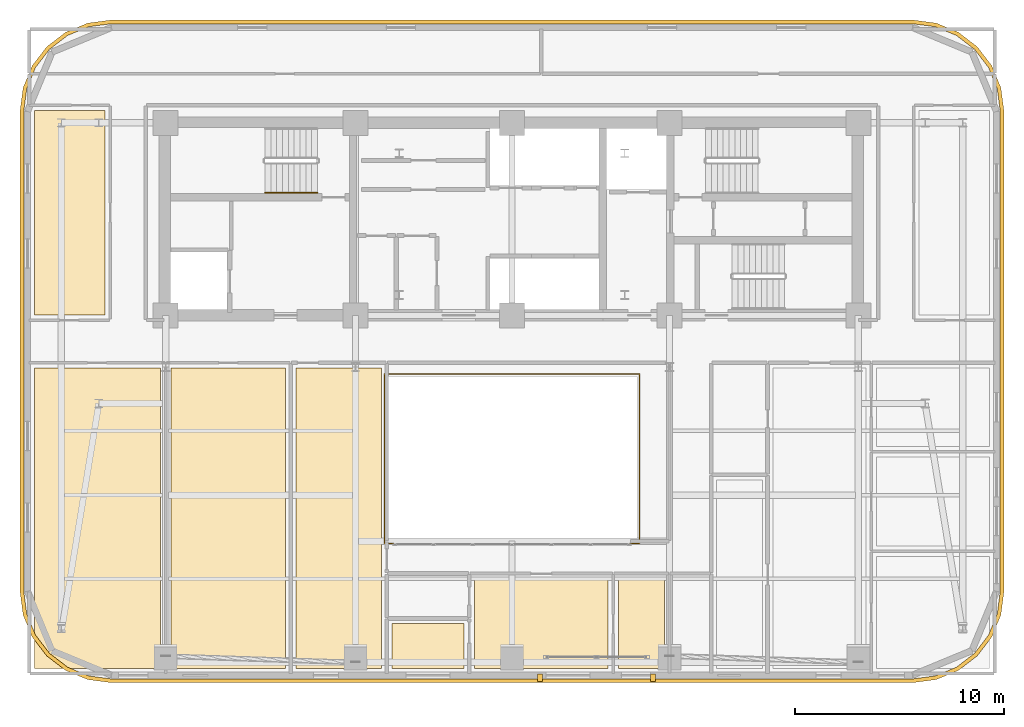
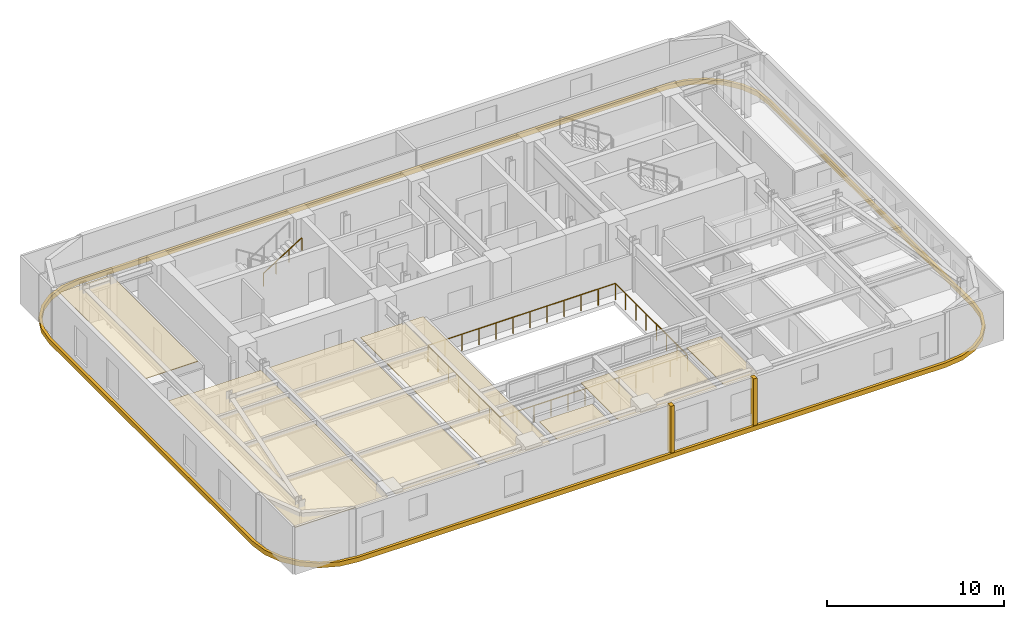
# One storey, part 11 of 13: 10 coverings, 2 railings.
"""IFC4 building model written with IfcOpenShell, lengths in metres."""

from ifc_helpers import new_model, si_unit, direction, frame, origin, origin_2d, place, context, subcontext, project, spatial, polyline, rectangle, outline, extrude, material, layer, layer_set, type_object, element, save


model = new_model("IFC4")

# Units and contexts
model_context = context("Model", 3, precision=1e-05, world=origin(), true_north=direction((0.0, 1.0)))
body_context = subcontext(model_context, "Body", "Model", "MODEL_VIEW")
ifc_project = project(units=[si_unit("LENGTHUNIT", "METRE"), si_unit("AREAUNIT", "SQUARE_METRE"), si_unit("VOLUMEUNIT", "CUBIC_METRE"), si_unit("PLANEANGLEUNIT", "RADIAN"), si_unit("MASSUNIT", "GRAM", prefix="KILO")], contexts=[model_context])

# Site, building, storey
site_placement = place(None, origin())
site = spatial("IfcSite", under=ifc_project, at=site_placement, CompositionType="ELEMENT")
building_placement = place(site_placement, origin())
building = spatial("IfcBuilding", under=site, at=building_placement, Name="Zarnavel Station Tower", CompositionType="ELEMENT")
storey_placement = place(building_placement, frame((0.0, 0.0, 162.550048828125)))
storey = spatial("IfcBuildingStorey", under=building, at=storey_placement, Name="L44", CompositionType="ELEMENT", Elevation=162.550048828125)

# Coverings
ifc_material_1 = material(Name="Perforated Gypsum and Mineral-Wool Acoustic Ceiling", Category="concrete")
ifc_layer = layer(ifc_material_1, 0.0400390625)
ifc_layer_set = layer_set([ifc_layer], Name="COV_CEIL_ACOUSTIC")
covering_type_1 = type_object("IfcCoveringType", Name="COV_CEIL_ACOUSTIC", PredefinedType="CEILING", material=ifc_layer_set)
covering_1_placement = place(storey_placement, frame((0.0, 0.0, 2.969970703125)))
element("IfcCovering", 1, at=covering_1_placement, inside=storey, type_object=covering_type_1, Name="L44 FNW Acoustic Ceiling", PredefinedType="CEILING", context=body_context, shape_type="SweptSolid", body=[
    extrude(outline(polyline([(5.909912109375, 27.85009765625), (9.300048828125, 27.85009765625), (9.300048828125, 37.64990234375), (5.909912109375, 37.64990234375), (5.909912109375, 27.85009765625)])), origin(), (0.0, 0.0, 1.0), 0.0400390625),
])
covering_2_placement = place(storey_placement, frame((0.0, 0.0, 2.969970703125)))
element("IfcCovering", 2, at=covering_2_placement, inside=storey, type_object=covering_type_1, Name="L44 L43GAL Acoustic Ceiling", PredefinedType="CEILING", context=body_context, shape_type="SweptSolid", body=[
    extrude(outline(polyline([(5.909912109375, 10.909912109375), (11.949951171875, 10.909912109375), (11.949951171875, 25.300048828125), (5.909912109375, 25.300048828125), (5.909912109375, 10.909912109375)])), origin(), (0.0, 0.0, 1.0), 0.0400390625),
])
covering_3_placement = place(storey_placement, frame((0.0, 0.0, 2.969970703125)))
element("IfcCovering", 3, at=covering_3_placement, inside=storey, type_object=covering_type_1, Name="L44 L43FOY Acoustic Ceiling", PredefinedType="CEILING", context=body_context, shape_type="SweptSolid", body=[
    extrude(outline(polyline([(12.449951171875, 10.909912109375), (17.949951171875, 10.909912109375), (17.949951171875, 25.300048828125), (12.449951171875, 25.300048828125), (12.449951171875, 10.909912109375)])), origin(), (0.0, 0.0, 1.0), 0.0400390625),
])
covering_4_placement = place(storey_placement, frame((0.0, 0.0, 2.969970703125)))
element("IfcCovering", 4, at=covering_4_placement, inside=storey, type_object=covering_type_1, Name="L44 L43KIT Acoustic Ceiling", PredefinedType="CEILING", context=body_context, shape_type="SweptSolid", body=[
    extrude(outline(polyline([(18.449951171875, 10.909912109375), (22.550048828125, 10.909912109375), (22.550048828125, 25.300048828125), (18.449951171875, 25.300048828125), (18.449951171875, 10.909912109375)])), origin(), (0.0, 0.0, 1.0), 0.0400390625),
])
covering_5_placement = place(storey_placement, frame((0.0, 0.0, 2.969970703125)))
element("IfcCovering", 5, at=covering_5_placement, inside=storey, type_object=covering_type_1, Name="L44 US1LV Acoustic Ceiling", PredefinedType="CEILING", context=body_context, shape_type="SweptSolid", body=[
    extrude(outline(polyline([(27.0, 10.909912109375), (33.39990234375, 10.909912109375), (33.39990234375, 15.199951171875), (27.0, 15.199951171875), (27.0, 10.909912109375)])), origin(), (0.0, 0.0, 1.0), 0.0400390625),
])
covering_6_placement = place(storey_placement, frame((0.0, 0.0, 2.969970703125)))
element("IfcCovering", 6, at=covering_6_placement, inside=storey, type_object=covering_type_1, Name="L44 US1KT Acoustic Ceiling", PredefinedType="CEILING", context=body_context, shape_type="SweptSolid", body=[
    extrude(outline(polyline([(23.050048828125, 10.909912109375), (26.5, 10.909912109375), (26.5, 13.050048828125), (23.050048828125, 13.050048828125), (23.050048828125, 10.909912109375)])), origin(), (0.0, 0.0, 1.0), 0.0400390625),
])
covering_7_placement = place(storey_placement, frame((0.0, 0.0, 2.969970703125)))
element("IfcCovering", 7, at=covering_7_placement, inside=storey, type_object=covering_type_1, Name="L44 US1B1 Acoustic Ceiling", PredefinedType="CEILING", context=body_context, shape_type="SweptSolid", body=[
    extrude(outline(polyline([(33.89990234375, 10.909912109375), (36.10009765625, 10.909912109375), (36.10009765625, 15.199951171875), (33.89990234375, 15.199951171875), (33.89990234375, 10.909912109375)])), origin(), (0.0, 0.0, 1.0), 0.0400390625),
])
ifc_material_2 = material(Name="Precast concrete C45/55 (Pale Travertine Slab Band)", Category="masonry")
covering_type_2 = type_object("IfcCoveringType", Name="COV_TRAVERTINE_BAND", PredefinedType="CLADDING", material=ifc_material_2)
covering_8_placement = place(storey_placement, frame((0.0, 0.0, -0.260009765625)))
element("IfcCovering", 8, at=covering_8_placement, inside=storey, type_object=covering_type_2, Name="L44 Pale Travertine Slab-Edge Band", PredefinedType="CLADDING", context=body_context, shape_type="SweptSolid", body=[
    extrude(outline(polyline([(48.0, 10.219970703125), (49.133544921875, 10.369140625), (50.18994140625, 10.806884765625), (51.09716796875, 11.5029296875), (51.793212890625, 12.409912109375), (52.230712890625, 13.46630859375), (52.3798828125, 14.60009765625), (52.3798828125, 37.60009765625), (52.230712890625, 38.733642578125), (51.793212890625, 39.7900390625), (51.09716796875, 40.697021484375), (50.18994140625, 41.393310546875), (49.133544921875, 41.830810546875), (48.0, 41.97998046875), (9.60009765625, 41.97998046875), (8.46630859375, 41.830810546875), (7.409912109375, 41.393310546875), (6.5029296875, 40.697021484375), (5.806884765625, 39.7900390625), (5.369140625, 38.733642578125), (5.219970703125, 37.60009765625), (5.219970703125, 14.60009765625), (5.369140625, 13.46630859375), (5.806884765625, 12.409912109375), (6.5029296875, 11.5029296875), (7.409912109375, 10.806884765625), (8.46630859375, 10.369140625), (9.60009765625, 10.219970703125), (48.0, 10.219970703125)]), holes=[polyline([(48.0, 10.39990234375), (49.0869140625, 10.543212890625), (50.10009765625, 10.962646484375), (50.9697265625, 11.630126953125), (51.63720703125, 12.5), (52.056884765625, 13.512939453125), (52.199951171875, 14.60009765625), (52.199951171875, 37.60009765625), (52.056884765625, 38.68701171875), (51.63720703125, 39.699951171875), (50.9697265625, 40.56982421875), (50.10009765625, 41.2373046875), (49.0869140625, 41.656982421875), (48.0, 41.800048828125), (9.60009765625, 41.800048828125), (8.512939453125, 41.656982421875), (7.5, 41.2373046875), (6.630126953125, 40.56982421875), (5.962646484375, 39.699951171875), (5.543212890625, 38.68701171875), (5.39990234375, 37.60009765625), (5.39990234375, 14.60009765625), (5.543212890625, 13.512939453125), (5.962646484375, 12.5), (6.630126953125, 11.630126953125), (7.5, 10.962646484375), (8.512939453125, 10.543212890625), (9.60009765625, 10.39990234375), (48.0, 10.39990234375)])]), origin(), (0.0, 0.0, 1.0), 0.320068359375),
])
for number, where, z_axis, x_axis, name in (
    (9, (30.14990234375, 10.449951171875, 0.0), (0.0, 0.0, 1.0), (1.0, 0.0, 0.0), "L44 Travertine Portal Loggia Vertical Jog West"),
    (10, (35.550048828125, 10.449951171875, 0.0), (0.0, 0.0, 1.0), (1.0, 0.0, 0.0), "L44 Travertine Portal Loggia Vertical Jog East"),
):
    element("IfcCovering", number, at=place(storey_placement, frame(where, z_axis=z_axis, x_axis=x_axis)), inside=storey, type_object=covering_type_2, Name=name, PredefinedType="CLADDING", context=body_context, shape_type="SweptSolid", body=[
        extrude(rectangle(XDim=0.239990234375, YDim=0.360107421875, at=origin_2d()), origin(), (0.0, 0.0, 1.0), 3.2900390625),
    ])

# Railings
ifc_material_3 = material(Name="Painted Steel S355J2 Balustrade", Category="steel")
railing_type_1 = type_object("IfcRailingType", Name="GR_INT_1150", PredefinedType="GUARDRAIL", material=ifc_material_3)
railing_1_placement = place(storey_placement, frame((22.679931640625, 16.8798828125, 0.0)))
element("IfcRailing", 11, at=railing_1_placement, inside=storey, type_object=railing_type_1, Name="L44 Atrium Void Guardrail", PredefinedType="GUARDRAIL", context=body_context, shape_type="SweptSolid", body=[
    extrude(rectangle(XDim=0.048095703125, YDim=0.048095703125, at=origin_2d()), frame((0.001953125, 0.0, 1.1259765625), z_axis=(1.0, 0.0, 0.0), x_axis=(0.0, 1.0, 0.0)), (0.0, 0.0, 1.0), 12.236083984375),
    extrude(rectangle(XDim=0.048095703125, YDim=0.048095703125, at=origin_2d()), frame((12.239990234375, 0.001953125, 1.1259765625), z_axis=(0.0, 1.0, 0.0), x_axis=(-1.0, 0.0, 0.0)), (0.0, 0.0, 1.0), 8.13623046875),
    extrude(rectangle(XDim=0.048095703125, YDim=0.048095703125, at=origin_2d()), frame((12.238037109375, 8.14013671875, 1.1259765625), z_axis=(-1.0, 0.0, 0.0), x_axis=(0.0, -1.0, 0.0)), (0.0, 0.0, 1.0), 12.236083984375),
    extrude(rectangle(XDim=0.048095703125, YDim=0.048095703125, at=origin_2d()), frame((0.0, 8.13818359375, 1.1259765625), z_axis=(0.0, -1.0, 0.0), x_axis=(1.0, 0.0, 0.0)), (0.0, 0.0, 1.0), 8.13623046875),
    extrude(rectangle(XDim=0.0419921875, YDim=0.0419921875, at=origin_2d()), origin(), (0.0, 0.0, 1.0), 1.101806640625),
    extrude(rectangle(XDim=0.0419921875, YDim=0.0419921875, at=origin_2d()), frame((1.11279296875, 0.0, 0.0)), (0.0, 0.0, 1.0), 1.101806640625),
    extrude(rectangle(XDim=0.0419921875, YDim=0.0419921875, at=origin_2d()), frame((2.225341796875, 0.0, 0.0)), (0.0, 0.0, 1.0), 1.101806640625),
    extrude(rectangle(XDim=0.0419921875, YDim=0.0419921875, at=origin_2d()), frame((3.338134765625, 0.0, 0.0)), (0.0, 0.0, 1.0), 1.101806640625),
    extrude(rectangle(XDim=0.0419921875, YDim=0.0419921875, at=origin_2d()), frame((4.450927734375, 0.0, 0.0)), (0.0, 0.0, 1.0), 1.101806640625),
    extrude(rectangle(XDim=0.0419921875, YDim=0.0419921875, at=origin_2d()), frame((5.563720703125, 0.0, 0.0)), (0.0, 0.0, 1.0), 1.101806640625),
    extrude(rectangle(XDim=0.0419921875, YDim=0.0419921875, at=origin_2d()), frame((6.67626953125, 0.0, 0.0)), (0.0, 0.0, 1.0), 1.101806640625),
    extrude(rectangle(XDim=0.0419921875, YDim=0.0419921875, at=origin_2d()), frame((7.7890625, 0.0, 0.0)), (0.0, 0.0, 1.0), 1.101806640625),
    extrude(rectangle(XDim=0.0419921875, YDim=0.0419921875, at=origin_2d()), frame((8.90185546875, 0.0, 0.0)), (0.0, 0.0, 1.0), 1.101806640625),
    extrude(rectangle(XDim=0.0419921875, YDim=0.0419921875, at=origin_2d()), frame((10.0146484375, 0.0, 0.0)), (0.0, 0.0, 1.0), 1.101806640625),
    extrude(rectangle(XDim=0.0419921875, YDim=0.0419921875, at=origin_2d()), frame((11.127197265625, 0.0, 0.0)), (0.0, 0.0, 1.0), 1.101806640625),
    extrude(rectangle(XDim=0.0419921875, YDim=0.0419921875, at=origin_2d()), frame((12.239990234375, 0.0, 0.0)), (0.0, 0.0, 1.0), 1.101806640625),
    extrude(rectangle(XDim=0.0419921875, YDim=0.0419921875, at=origin_2d()), frame((12.239990234375, 1.162841796875, 0.0)), (0.0, 0.0, 1.0), 1.101806640625),
    extrude(rectangle(XDim=0.0419921875, YDim=0.0419921875, at=origin_2d()), frame((12.239990234375, 2.32568359375, 0.0)), (0.0, 0.0, 1.0), 1.101806640625),
    extrude(rectangle(XDim=0.0419921875, YDim=0.0419921875, at=origin_2d()), frame((12.239990234375, 3.488525390625, 0.0)), (0.0, 0.0, 1.0), 1.101806640625),
    extrude(rectangle(XDim=0.0419921875, YDim=0.0419921875, at=origin_2d()), frame((12.239990234375, 4.651611328125, 0.0)), (0.0, 0.0, 1.0), 1.101806640625),
    extrude(rectangle(XDim=0.0419921875, YDim=0.0419921875, at=origin_2d()), frame((12.239990234375, 5.814453125, 0.0)), (0.0, 0.0, 1.0), 1.101806640625),
    extrude(rectangle(XDim=0.0419921875, YDim=0.0419921875, at=origin_2d()), frame((12.239990234375, 6.977294921875, 0.0)), (0.0, 0.0, 1.0), 1.101806640625),
    extrude(rectangle(XDim=0.0419921875, YDim=0.0419921875, at=origin_2d()), frame((12.239990234375, 8.14013671875, 0.0)), (0.0, 0.0, 1.0), 1.101806640625),
    extrude(rectangle(XDim=0.0419921875, YDim=0.0419921875, at=origin_2d()), frame((11.127197265625, 8.14013671875, 0.0)), (0.0, 0.0, 1.0), 1.101806640625),
    extrude(rectangle(XDim=0.0419921875, YDim=0.0419921875, at=origin_2d()), frame((10.0146484375, 8.14013671875, 0.0)), (0.0, 0.0, 1.0), 1.101806640625),
    extrude(rectangle(XDim=0.0419921875, YDim=0.0419921875, at=origin_2d()), frame((8.90185546875, 8.14013671875, 0.0)), (0.0, 0.0, 1.0), 1.101806640625),
    extrude(rectangle(XDim=0.0419921875, YDim=0.0419921875, at=origin_2d()), frame((7.7890625, 8.14013671875, 0.0)), (0.0, 0.0, 1.0), 1.101806640625),
    extrude(rectangle(XDim=0.0419921875, YDim=0.0419921875, at=origin_2d()), frame((6.67626953125, 8.14013671875, 0.0)), (0.0, 0.0, 1.0), 1.101806640625),
    extrude(rectangle(XDim=0.0419921875, YDim=0.0419921875, at=origin_2d()), frame((5.563720703125, 8.14013671875, 0.0)), (0.0, 0.0, 1.0), 1.101806640625),
    extrude(rectangle(XDim=0.0419921875, YDim=0.0419921875, at=origin_2d()), frame((4.450927734375, 8.14013671875, 0.0)), (0.0, 0.0, 1.0), 1.101806640625),
    extrude(rectangle(XDim=0.0419921875, YDim=0.0419921875, at=origin_2d()), frame((3.338134765625, 8.14013671875, 0.0)), (0.0, 0.0, 1.0), 1.101806640625),
    extrude(rectangle(XDim=0.0419921875, YDim=0.0419921875, at=origin_2d()), frame((2.225341796875, 8.14013671875, 0.0)), (0.0, 0.0, 1.0), 1.101806640625),
    extrude(rectangle(XDim=0.0419921875, YDim=0.0419921875, at=origin_2d()), frame((1.11279296875, 8.14013671875, 0.0)), (0.0, 0.0, 1.0), 1.101806640625),
    extrude(rectangle(XDim=0.0419921875, YDim=0.0419921875, at=origin_2d()), frame((0.0, 8.14013671875, 0.0)), (0.0, 0.0, 1.0), 1.101806640625),
    extrude(rectangle(XDim=0.0419921875, YDim=0.0419921875, at=origin_2d()), frame((0.0, 6.977294921875, 0.0)), (0.0, 0.0, 1.0), 1.101806640625),
    extrude(rectangle(XDim=0.0419921875, YDim=0.0419921875, at=origin_2d()), frame((0.0, 5.814453125, 0.0)), (0.0, 0.0, 1.0), 1.101806640625),
    extrude(rectangle(XDim=0.0419921875, YDim=0.0419921875, at=origin_2d()), frame((0.0, 4.651611328125, 0.0)), (0.0, 0.0, 1.0), 1.101806640625),
    extrude(rectangle(XDim=0.0419921875, YDim=0.0419921875, at=origin_2d()), frame((0.0, 3.488525390625, 0.0)), (0.0, 0.0, 1.0), 1.101806640625),
    extrude(rectangle(XDim=0.0419921875, YDim=0.0419921875, at=origin_2d()), frame((0.0, 2.32568359375, 0.0)), (0.0, 0.0, 1.0), 1.101806640625),
    extrude(rectangle(XDim=0.0419921875, YDim=0.0419921875, at=origin_2d()), frame((0.0, 1.162841796875, 0.0)), (0.0, 0.0, 1.0), 1.101806640625),
])
ifc_material_4 = material(Name="Brushed Stainless Steel S355J2 Handrail", Category="steel")
railing_type_2 = type_object("IfcRailingType", Name="HR_STAIR_900", PredefinedType="HANDRAIL", material=ifc_material_4)
railing_2_placement = place(storey_placement, frame((16.9599609375, 33.7099609375, 1.952392578125)))
element("IfcRailing", 12, at=railing_2_placement, inside=storey, type_object=railing_type_2, Name="L44 ST1 stair handrail 2", PredefinedType="HANDRAIL", context=body_context, shape_type="SweptSolid", body=[
    extrude(rectangle(XDim=0.048095703125, YDim=0.048095703125, at=origin_2d()), frame((0.001708984375, 0.0, 0.876953125), z_axis=(0.84456994832, 0.0, 0.535445237532), x_axis=(0.0, 1.0, 0.0)), (0.0, 0.0, 1.0), 2.979736328125),
    extrude(rectangle(XDim=0.0419921875, YDim=0.0419921875, at=origin_2d()), origin(), (0.0, 0.0, 1.0), 0.851806640625),
    extrude(rectangle(XDim=0.0419921875, YDim=0.0419921875, at=origin_2d()), frame((0.840087890625, 0.0, 0.532470703125)), (0.0, 0.0, 1.0), 0.851806640625),
    extrude(rectangle(XDim=0.0419921875, YDim=0.0419921875, at=origin_2d()), frame((1.679931640625, 0.0, 1.065185546875)), (0.0, 0.0, 1.0), 0.851806640625),
    extrude(rectangle(XDim=0.0419921875, YDim=0.0419921875, at=origin_2d()), frame((2.52001953125, 0.0, 1.59765625)), (0.0, 0.0, 1.0), 0.851806640625),
])

save(model, "model.ifc")
